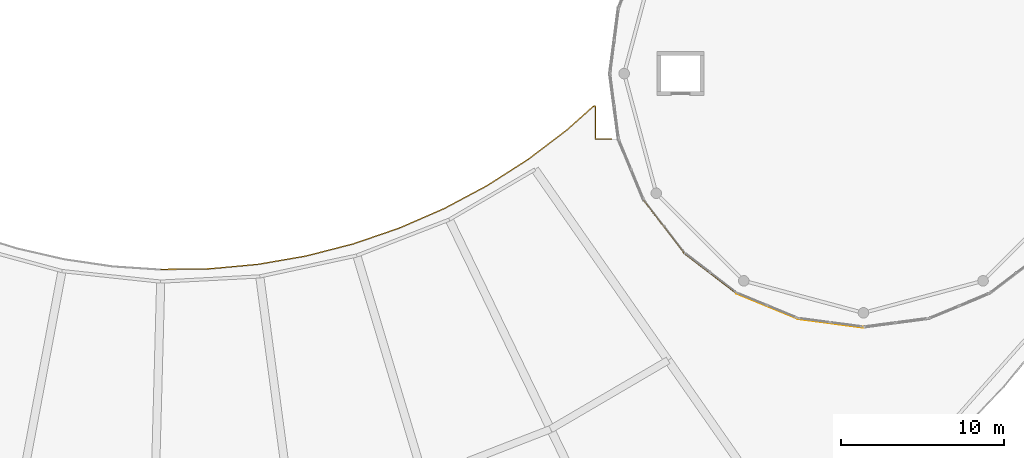
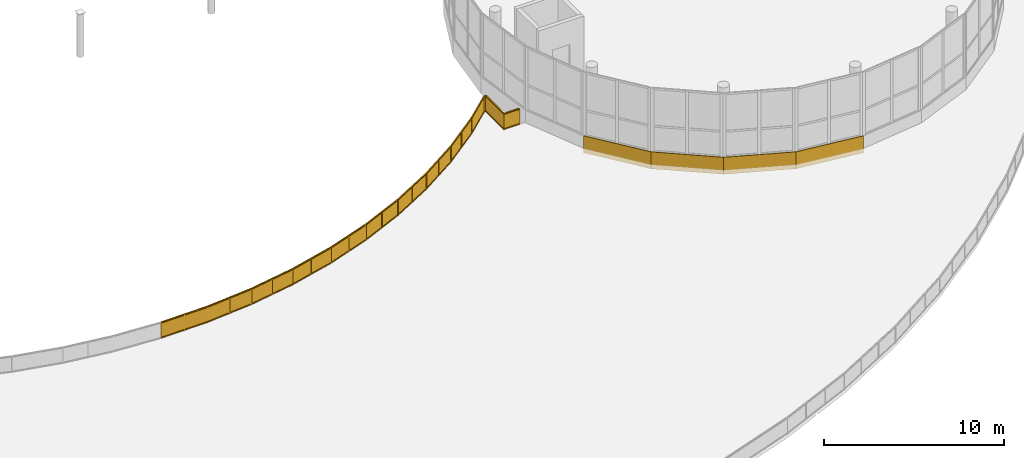
# One storey, part 93 of 101: 4 coverings, 1 railing.
"""IFC4 building model written with IfcOpenShell, lengths in metres."""

from ifc_helpers import new_model, si_unit, direction, frame, origin, origin_2d, place, context, subcontext, project, spatial, polyline, rectangle, outline, extrude, material, layer, layer_set, type_object, element, save


model = new_model("IFC4")

# Units and contexts
model_context = context("Model", 3, precision=1e-05, world=origin(), true_north=direction((0.0, 1.0)))
body_context = subcontext(model_context, "Body", "Model", "MODEL_VIEW")
ifc_project = project(units=[si_unit("LENGTHUNIT", "METRE"), si_unit("AREAUNIT", "SQUARE_METRE"), si_unit("VOLUMEUNIT", "CUBIC_METRE"), si_unit("PLANEANGLEUNIT", "RADIAN"), si_unit("MASSUNIT", "GRAM", prefix="KILO")], contexts=[model_context])

# Site, building, storey
site_placement = place(None, origin())
site = spatial("IfcSite", under=ifc_project, at=site_placement, CompositionType="ELEMENT")
building_placement = place(site_placement, origin())
building = spatial("IfcBuilding", under=site, at=building_placement, Name="Selatvlak General Hospital", CompositionType="ELEMENT")
storey_placement = place(building_placement, frame((0.0, 0.0, 19.199951171875)))
storey = spatial("IfcBuildingStorey", under=building, at=storey_placement, Name="L04", CompositionType="ELEMENT", Elevation=19.199951171875)

# Coverings
ifc_material_1 = material(Name="White Bauhaus fair-faced cladding panel")
ifc_layer = layer(ifc_material_1, 0.054931640625, Name="White Bauhaus fair-faced cladding panel")
ifc_layer_set = layer_set([ifc_layer], Name="White Bauhaus fair-faced cladding panel")
covering_type = type_object("IfcCoveringType", Name="COV-WHT1", PredefinedType="CLADDING", material=ifc_layer_set)
covering_placement = place(storey_placement, frame((95.989990234375, 38.72412109375, -0.2998046875), z_axis=(0.0, 0.0, 1.0), x_axis=(-0.99145169435, 0.13047428011, 0.0)))
element("IfcCovering", 1, at=covering_placement, inside=storey, type_object=covering_type, Name="L04 Rotunda white Bauhaus spandrel ring 0361", PredefinedType="CLADDING", context=body_context, shape_type="SweptSolid", body=[
    extrude(rectangle(XDim=4.047119140625, YDim=0.054931640625, at=origin_2d()), origin(), (0.0, 0.0, 1.0), 1.14990234375),
])
for number, where, z_axis, x_axis, name in (
    (2, (92.10498046875, 39.764892578125, -0.2998046875), (0.0, 0.0, 1.0), (-0.923906246603, 0.382618932474, 0.0), "L04 Rotunda white Bauhaus spandrel ring 0363"),
    (3, (88.6220703125, 41.77587890625, -0.2998046875), (0.0, 0.0, 1.0), (-0.793363965062, 0.608747582288, 0.0), "L04 Rotunda white Bauhaus spandrel ring 0365"),
    (4, (85.778076171875, 44.6201171875, -0.2998046875), (0.0, 0.0, 1.0), (-0.608747582288, 0.793363965062, 0.0), "L04 Rotunda white Bauhaus spandrel ring 0367"),
):
    element("IfcCovering", number, at=place(storey_placement, frame(where, z_axis=z_axis, x_axis=x_axis)), inside=storey, type_object=covering_type, Name=name, PredefinedType="CLADDING", context=body_context, shape_type="SweptSolid", body=[
        extrude(rectangle(XDim=4.0458984375, YDim=0.054931640625, at=origin_2d()), origin(), (0.0, 0.0, 1.0), 1.14990234375),
    ])

# Railing
ifc_material_2 = material(Name="Stainless steel 316 safety balustrade", Category="steel")
railing_type = type_object("IfcRailingType", Name="RAIL-BAL1", PredefinedType="BALUSTRADE", material=ifc_material_2)
railing_placement = place(storey_placement, frame((54.988037109375, 42.012939453125, 0.0)))
element("IfcRailing", 5, at=railing_placement, inside=storey, type_object=railing_type, Name="L04 continuous terrace guardrail 0027", PredefinedType="BALUSTRADE", context=body_context, shape_type="SweptSolid", body=[
    extrude(rectangle(XDim=0.068115234375, YDim=0.068115234375, at=origin_2d()), frame((0.0029296875, 0.0, 1.0859375), z_axis=(0.999918284597, 0.012783744665, 0.0), x_axis=(-0.012783744665, 0.999918284597, 0.0)), (0.0, 0.0, 1.0), 2.973388671875),
    extrude(rectangle(XDim=0.068115234375, YDim=0.068115234375, at=origin_2d()), frame((0.0029296875, 0.0, 0.049072265625), z_axis=(0.999918284597, 0.012783744665, 0.0), x_axis=(-0.012783744665, 0.999918284597, 0.0)), (0.0, 0.0, 1.0), 2.973388671875),
    extrude(outline(polyline([(0.0, 0.0), (2.96728515625, 0.0), (2.96728515625, 0.94189453125), (0.0, 0.94189453125), (0.0, 0.0)])), frame((0.005859375, 0.01806640625, 0.0849609375), z_axis=(0.012783744665, -0.999918284597, 0.0), x_axis=(0.999918284597, 0.012783744665, 0.0)), (0.0, 0.0, 1.0), 0.031982421875),
    extrude(rectangle(XDim=0.068115234375, YDim=0.068115234375, at=origin_2d()), frame((2.98193359375, 0.038330078125, 1.0859375), z_axis=(0.995740813259, 0.092196707156, 0.0), x_axis=(-0.092196707156, 0.995740813259, 0.0)), (0.0, 0.0, 1.0), 2.975830078125),
    extrude(rectangle(XDim=0.068115234375, YDim=0.068115234375, at=origin_2d()), frame((2.98193359375, 0.038330078125, 0.049072265625), z_axis=(0.995740813259, 0.092196707156, 0.0), x_axis=(-0.092196707156, 0.995740813259, 0.0)), (0.0, 0.0, 1.0), 2.975830078125),
    extrude(outline(polyline([(0.0, 0.0), (2.9697265625, 0.0), (2.9697265625, 0.94189453125), (0.0, 0.94189453125), (0.0, 0.0)])), frame((2.9833984375, 0.056640625, 0.0849609375), z_axis=(0.092196707156, -0.995740813259, 0.0), x_axis=(0.995740813259, 0.092196707156, 0.0)), (0.0, 0.0, 1.0), 0.031982421875),
    extrude(rectangle(XDim=0.068115234375, YDim=0.068115234375, at=origin_2d()), frame((5.950927734375, 0.3134765625, 1.0859375), z_axis=(0.985255602816, 0.17108885738, 0.0), x_axis=(-0.17108885738, 0.985255602816, 0.0)), (0.0, 0.0, 1.0), 2.97509765625),
    extrude(rectangle(XDim=0.068115234375, YDim=0.068115234375, at=origin_2d()), frame((5.950927734375, 0.3134765625, 0.049072265625), z_axis=(0.985255602816, 0.17108885738, 0.0), x_axis=(-0.17108885738, 0.985255602816, 0.0)), (0.0, 0.0, 1.0), 2.97509765625),
    extrude(outline(polyline([(0.0, 0.0), (2.968994140625, 0.0), (2.968994140625, 0.94189453125), (0.0, 0.94189453125), (0.0, 0.0)])), frame((5.950927734375, 0.331787109375, 0.0849609375), z_axis=(0.17108885738, -0.985255602816, 0.0), x_axis=(0.985255602816, 0.17108885738, 0.0)), (0.0, 0.0, 1.0), 0.031982421875),
    extrude(rectangle(XDim=0.068115234375, YDim=0.068115234375, at=origin_2d()), frame((8.887939453125, 0.82373046875, 1.0859375), z_axis=(0.968509276557, 0.248977471315, 0.0), x_axis=(-0.248977471315, 0.968509276557, 0.0)), (0.0, 0.0, 1.0), 2.97900390625),
    extrude(rectangle(XDim=0.068115234375, YDim=0.068115234375, at=origin_2d()), frame((8.887939453125, 0.82373046875, 0.049072265625), z_axis=(0.968509276557, 0.248977471315, 0.0), x_axis=(-0.248977471315, 0.968509276557, 0.0)), (0.0, 0.0, 1.0), 2.97900390625),
    extrude(outline(polyline([(0.0, 0.0), (2.972900390625, 0.0), (2.972900390625, 0.94189453125), (0.0, 0.94189453125), (0.0, 0.0)])), frame((8.88623046875, 0.842041015625, 0.0849609375), z_axis=(0.248977471315, -0.968509276557, 0.0), x_axis=(0.968509276557, 0.248977471315, 0.0)), (0.0, 0.0, 1.0), 0.031982421875),
    extrude(rectangle(XDim=0.068115234375, YDim=0.068115234375, at=origin_2d()), frame((11.778564453125, 1.567138671875, 1.0859375), z_axis=(0.945885593509, 0.324500298908, 0.0), x_axis=(-0.324500298908, 0.945885593509, 0.0)), (0.0, 0.0, 1.0), 2.973388671875),
    extrude(rectangle(XDim=0.068115234375, YDim=0.068115234375, at=origin_2d()), frame((11.778564453125, 1.567138671875, 0.049072265625), z_axis=(0.945885593509, 0.324500298908, 0.0), x_axis=(-0.324500298908, 0.945885593509, 0.0)), (0.0, 0.0, 1.0), 2.973388671875),
    extrude(outline(polyline([(0.0, 0.0), (2.96728515625, 0.0), (2.96728515625, 0.94189453125), (0.0, 0.94189453125), (0.0, 0.0)])), frame((11.775634765625, 1.585205078125, 0.0849609375), z_axis=(0.324500298908, -0.945885593509, 0.0), x_axis=(0.945885593509, 0.324500298908, 0.0)), (0.0, 0.0, 1.0), 0.031982421875),
    extrude(rectangle(XDim=0.068115234375, YDim=0.068115234375, at=origin_2d()), frame((14.5966796875, 2.5341796875, 1.0859375), z_axis=(0.916896712462, 0.399124565362, 0.0), x_axis=(-0.399124565362, 0.916896712462, 0.0)), (0.0, 0.0, 1.0), 2.9736328125),
    extrude(rectangle(XDim=0.068115234375, YDim=0.068115234375, at=origin_2d()), frame((14.5966796875, 2.5341796875, 0.049072265625), z_axis=(0.916896712462, 0.399124565362, 0.0), x_axis=(-0.399124565362, 0.916896712462, 0.0)), (0.0, 0.0, 1.0), 2.9736328125),
    extrude(outline(polyline([(0.0, 0.0), (2.967529296875, 0.0), (2.967529296875, 0.94189453125), (0.0, 0.94189453125), (0.0, 0.0)])), frame((14.59228515625, 2.5517578125, 0.0849609375), z_axis=(0.399124565362, -0.916896712462, 0.0), x_axis=(0.916896712462, 0.399124565362, 0.0)), (0.0, 0.0, 1.0), 0.031982421875),
    extrude(rectangle(XDim=0.068115234375, YDim=0.068115234375, at=origin_2d()), frame((17.32861328125, 3.7236328125, 1.0859375), z_axis=(0.882420878782, 0.470460830134, 0.0), x_axis=(-0.470460830134, 0.882420878782, 0.0)), (0.0, 0.0, 1.0), 2.97802734375),
    extrude(rectangle(XDim=0.068115234375, YDim=0.068115234375, at=origin_2d()), frame((17.32861328125, 3.7236328125, 0.049072265625), z_axis=(0.882420878782, 0.470460830134, 0.0), x_axis=(-0.470460830134, 0.882420878782, 0.0)), (0.0, 0.0, 1.0), 2.97802734375),
    extrude(outline(polyline([(0.0, 0.0), (2.971923828125, 0.0), (2.971923828125, 0.94189453125), (0.0, 0.94189453125), (0.0, 0.0)])), frame((17.32275390625, 3.740966796875, 0.0849609375), z_axis=(0.470460830134, -0.882420878782, 0.0), x_axis=(0.882420878782, 0.470460830134, 0.0)), (0.0, 0.0, 1.0), 0.031982421875),
    extrude(rectangle(XDim=0.068115234375, YDim=0.068115234375, at=origin_2d()), frame((19.96142578125, 5.12744140625, 1.0859375), z_axis=(0.842249091378, 0.539088553091, 0.0), x_axis=(-0.539088553091, 0.842249091378, 0.0)), (0.0, 0.0, 1.0), 2.975341796875),
    extrude(rectangle(XDim=0.068115234375, YDim=0.068115234375, at=origin_2d()), frame((19.96142578125, 5.12744140625, 0.049072265625), z_axis=(0.842249091378, 0.539088553091, 0.0), x_axis=(-0.539088553091, 0.842249091378, 0.0)), (0.0, 0.0, 1.0), 2.975341796875),
    extrude(outline(polyline([(0.0, 0.0), (2.96923828125, 0.0), (2.96923828125, 0.94189453125), (0.0, 0.94189453125), (0.0, 0.0)])), frame((19.954345703125, 5.144287109375, 0.0849609375), z_axis=(0.539088553091, -0.842249091378, 0.0), x_axis=(0.842249091378, 0.539088553091, 0.0)), (0.0, 0.0, 1.0), 0.031982421875),
    extrude(rectangle(XDim=0.068115234375, YDim=0.068115234375, at=origin_2d()), frame((22.472412109375, 6.73486328125, 1.0859375), z_axis=(0.79668446914, 0.604395447228, 0.0), x_axis=(-0.604395447228, 0.79668446914, 0.0)), (0.0, 0.0, 1.0), 2.97412109375),
    extrude(rectangle(XDim=0.068115234375, YDim=0.068115234375, at=origin_2d()), frame((22.472412109375, 6.73486328125, 0.049072265625), z_axis=(0.79668446914, 0.604395447228, 0.0), x_axis=(-0.604395447228, 0.79668446914, 0.0)), (0.0, 0.0, 1.0), 2.97412109375),
    extrude(outline(polyline([(0.0, 0.0), (2.9677734375, 0.0), (2.9677734375, 0.94189453125), (0.0, 0.94189453125), (0.0, 0.0)])), frame((22.4638671875, 6.751220703125, 0.0849609375), z_axis=(0.604395447228, -0.79668446914, 0.0), x_axis=(0.79668446914, 0.604395447228, 0.0)), (0.0, 0.0, 1.0), 0.031982421875),
    extrude(rectangle(XDim=0.068115234375, YDim=0.068115234375, at=origin_2d()), frame((24.84619140625, 8.5361328125, 1.0859375), z_axis=(0.746080583749, 0.665855661951, 0.0), x_axis=(-0.665855661951, 0.746080583749, 0.0)), (0.0, 0.0, 1.0), 2.176025390625),
    extrude(rectangle(XDim=0.068115234375, YDim=0.068115234375, at=origin_2d()), frame((24.84619140625, 8.5361328125, 0.049072265625), z_axis=(0.746080583749, 0.665855661951, 0.0), x_axis=(-0.665855661951, 0.746080583749, 0.0)), (0.0, 0.0, 1.0), 2.176025390625),
    extrude(outline(polyline([(0.0, 0.0), (2.169921875, 0.0), (2.169921875, 0.94189453125), (0.0, 0.94189453125), (0.0, 0.0)])), frame((24.83642578125, 8.551513671875, 0.0849609375), z_axis=(0.665855661951, -0.746080583749, 0.0), x_axis=(0.746080583749, 0.665855661951, 0.0)), (0.0, 0.0, 1.0), 0.031982421875),
    extrude(rectangle(XDim=0.068115234375, YDim=0.068115234375, at=origin_2d()), frame((26.474853515625, 9.987060546875, 1.0859375), z_axis=(1.0, 0.0, 0.0), x_axis=(0.0, 1.0, 0.0)), (0.0, 0.0, 1.0), 0.13427734375),
    extrude(rectangle(XDim=0.068115234375, YDim=0.068115234375, at=origin_2d()), frame((26.474853515625, 9.987060546875, 0.049072265625), z_axis=(1.0, 0.0, 0.0), x_axis=(0.0, 1.0, 0.0)), (0.0, 0.0, 1.0), 0.13427734375),
    extrude(outline(polyline([(0.0, 0.0), (0.128173828125, 0.0), (0.128173828125, 0.94189453125), (0.0, 0.94189453125), (0.0, 0.0)])), frame((26.47802734375, 10.005126953125, 0.0849609375), z_axis=(0.0, -1.0, 0.0), x_axis=(1.0, 0.0, 0.0)), (0.0, 0.0, 1.0), 0.031982421875),
    extrude(rectangle(XDim=0.068115234375, YDim=0.068115234375, at=origin_2d()), frame((26.612060546875, 9.984130859375, 1.0859375), z_axis=(0.0, -1.0, 0.0), x_axis=(1.0, 0.0, 0.0)), (0.0, 0.0, 1.0), 1.994140625),
    extrude(rectangle(XDim=0.068115234375, YDim=0.068115234375, at=origin_2d()), frame((26.612060546875, 9.984130859375, 0.049072265625), z_axis=(0.0, -1.0, 0.0), x_axis=(1.0, 0.0, 0.0)), (0.0, 0.0, 1.0), 1.994140625),
    extrude(outline(polyline([(0.0, 0.0), (1.988037109375, 0.0), (1.988037109375, 0.94189453125), (0.0, 0.94189453125), (0.0, 0.0)])), frame((26.630126953125, 9.98095703125, 0.0849609375), z_axis=(-1.0, 0.0, 0.0), x_axis=(0.0, -1.0, 0.0)), (0.0, 0.0, 1.0), 0.031982421875),
    extrude(rectangle(XDim=0.068115234375, YDim=0.068115234375, at=origin_2d()), frame((26.614990234375, 7.987060546875, 1.0859375), z_axis=(1.0, 0.0, 0.0), x_axis=(0.0, 1.0, 0.0)), (0.0, 0.0, 1.0), 0.967041015625),
    extrude(rectangle(XDim=0.068115234375, YDim=0.068115234375, at=origin_2d()), frame((26.614990234375, 7.987060546875, 0.049072265625), z_axis=(1.0, 0.0, 0.0), x_axis=(0.0, 1.0, 0.0)), (0.0, 0.0, 1.0), 0.967041015625),
    extrude(outline(polyline([(0.0, 0.0), (0.9609375, 0.0), (0.9609375, 0.94189453125), (0.0, 0.94189453125), (0.0, 0.0)])), frame((26.6181640625, 8.005126953125, 0.0849609375), z_axis=(0.0, -1.0, 0.0), x_axis=(1.0, 0.0, 0.0)), (0.0, 0.0, 1.0), 0.031982421875),
    extrude(rectangle(XDim=0.055908203125, YDim=0.055908203125, at=origin_2d()), origin(), (0.0, 0.0, 1.0), 1.049072265625),
    extrude(rectangle(XDim=0.055908203125, YDim=0.055908203125, at=origin_2d()), frame((1.489501953125, 0.01904296875, 0.0)), (0.0, 0.0, 1.0), 1.049072265625),
    extrude(rectangle(XDim=0.055908203125, YDim=0.055908203125, at=origin_2d()), frame((2.97900390625, 0.0380859375, 0.0)), (0.0, 0.0, 1.0), 1.049072265625),
    extrude(rectangle(XDim=0.055908203125, YDim=0.055908203125, at=origin_2d()), frame((4.46337890625, 0.175537109375, 0.0)), (0.0, 0.0, 1.0), 1.049072265625),
    extrude(rectangle(XDim=0.055908203125, YDim=0.055908203125, at=origin_2d()), frame((5.947998046875, 0.31298828125, 0.0)), (0.0, 0.0, 1.0), 1.049072265625),
    extrude(rectangle(XDim=0.055908203125, YDim=0.055908203125, at=origin_2d()), frame((7.41650390625, 0.56787109375, 0.0)), (0.0, 0.0, 1.0), 1.049072265625),
    extrude(rectangle(XDim=0.055908203125, YDim=0.055908203125, at=origin_2d()), frame((8.885009765625, 0.822998046875, 0.0)), (0.0, 0.0, 1.0), 1.049072265625),
    extrude(rectangle(XDim=0.055908203125, YDim=0.055908203125, at=origin_2d()), frame((10.33056640625, 1.194580078125, 0.0)), (0.0, 0.0, 1.0), 1.049072265625),
    extrude(rectangle(XDim=0.055908203125, YDim=0.055908203125, at=origin_2d()), frame((11.77587890625, 1.566162109375, 0.0)), (0.0, 0.0, 1.0), 1.049072265625),
    extrude(rectangle(XDim=0.055908203125, YDim=0.055908203125, at=origin_2d()), frame((13.18505859375, 2.049560546875, 0.0)), (0.0, 0.0, 1.0), 1.049072265625),
    extrude(rectangle(XDim=0.055908203125, YDim=0.055908203125, at=origin_2d()), frame((14.593994140625, 2.532958984375, 0.0)), (0.0, 0.0, 1.0), 1.049072265625),
    extrude(rectangle(XDim=0.055908203125, YDim=0.055908203125, at=origin_2d()), frame((15.9599609375, 3.12744140625, 0.0)), (0.0, 0.0, 1.0), 1.049072265625),
    extrude(rectangle(XDim=0.055908203125, YDim=0.055908203125, at=origin_2d()), frame((17.325927734375, 3.72216796875, 0.0)), (0.0, 0.0, 1.0), 1.049072265625),
    extrude(rectangle(XDim=0.055908203125, YDim=0.055908203125, at=origin_2d()), frame((18.642578125, 4.424072265625, 0.0)), (0.0, 0.0, 1.0), 1.049072265625),
    extrude(rectangle(XDim=0.055908203125, YDim=0.055908203125, at=origin_2d()), frame((19.958984375, 5.1259765625, 0.0)), (0.0, 0.0, 1.0), 1.049072265625),
    extrude(rectangle(XDim=0.055908203125, YDim=0.055908203125, at=origin_2d()), frame((21.21435546875, 5.9296875, 0.0)), (0.0, 0.0, 1.0), 1.049072265625),
    extrude(rectangle(XDim=0.055908203125, YDim=0.055908203125, at=origin_2d()), frame((22.469970703125, 6.733154296875, 0.0)), (0.0, 0.0, 1.0), 1.049072265625),
    extrude(rectangle(XDim=0.055908203125, YDim=0.055908203125, at=origin_2d()), frame((23.656982421875, 7.6337890625, 0.0)), (0.0, 0.0, 1.0), 1.049072265625),
    extrude(rectangle(XDim=0.055908203125, YDim=0.055908203125, at=origin_2d()), frame((24.843994140625, 8.5341796875, 0.0)), (0.0, 0.0, 1.0), 1.049072265625),
    extrude(rectangle(XDim=0.055908203125, YDim=0.055908203125, at=origin_2d()), frame((26.471923828125, 9.987060546875, 0.0)), (0.0, 0.0, 1.0), 1.049072265625),
    extrude(rectangle(XDim=0.055908203125, YDim=0.055908203125, at=origin_2d()), frame((26.612060546875, 9.987060546875, 0.0)), (0.0, 0.0, 1.0), 1.049072265625),
    extrude(rectangle(XDim=0.055908203125, YDim=0.055908203125, at=origin_2d()), frame((26.612060546875, 7.987060546875, 0.0)), (0.0, 0.0, 1.0), 1.049072265625),
    extrude(rectangle(XDim=0.055908203125, YDim=0.055908203125, at=origin_2d()), frame((27.5849609375, 7.987060546875, 0.0)), (0.0, 0.0, 1.0), 1.049072265625),
])

save(model, "model.ifc")
